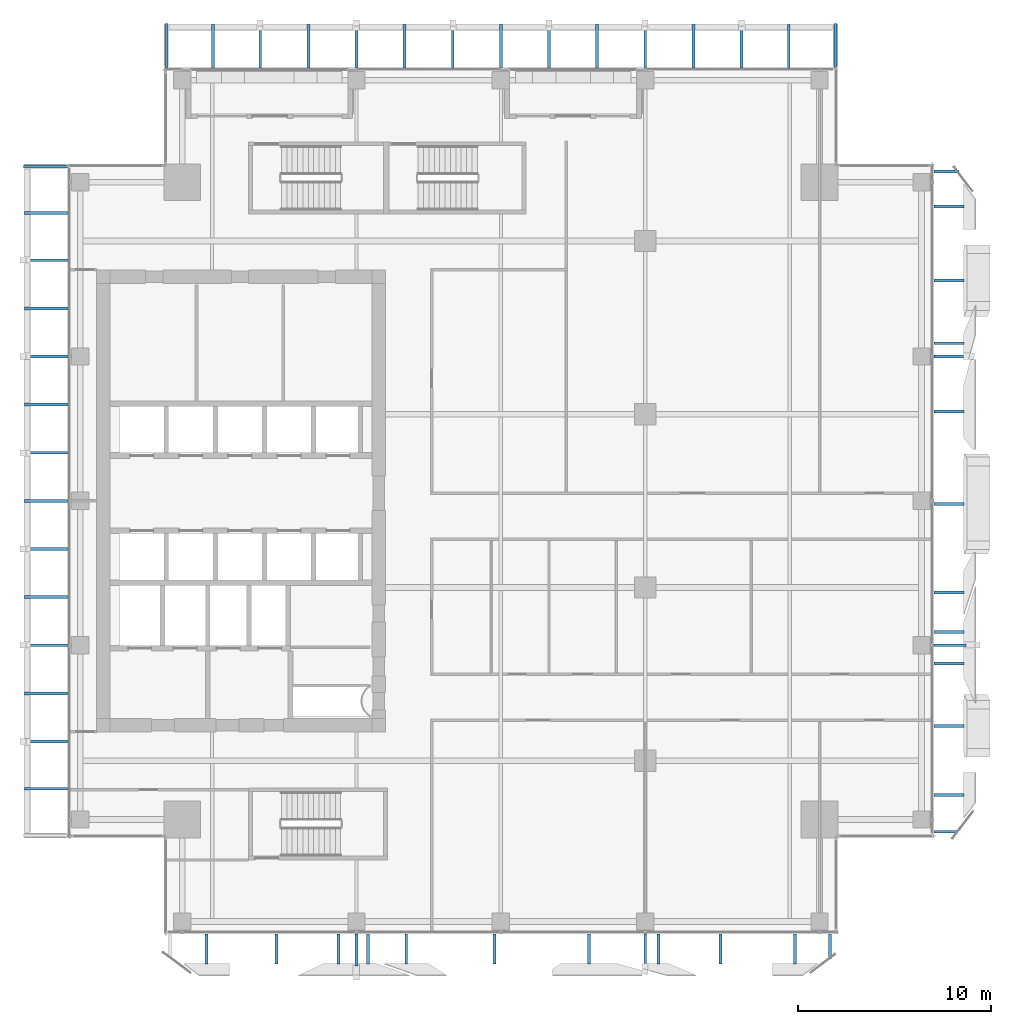
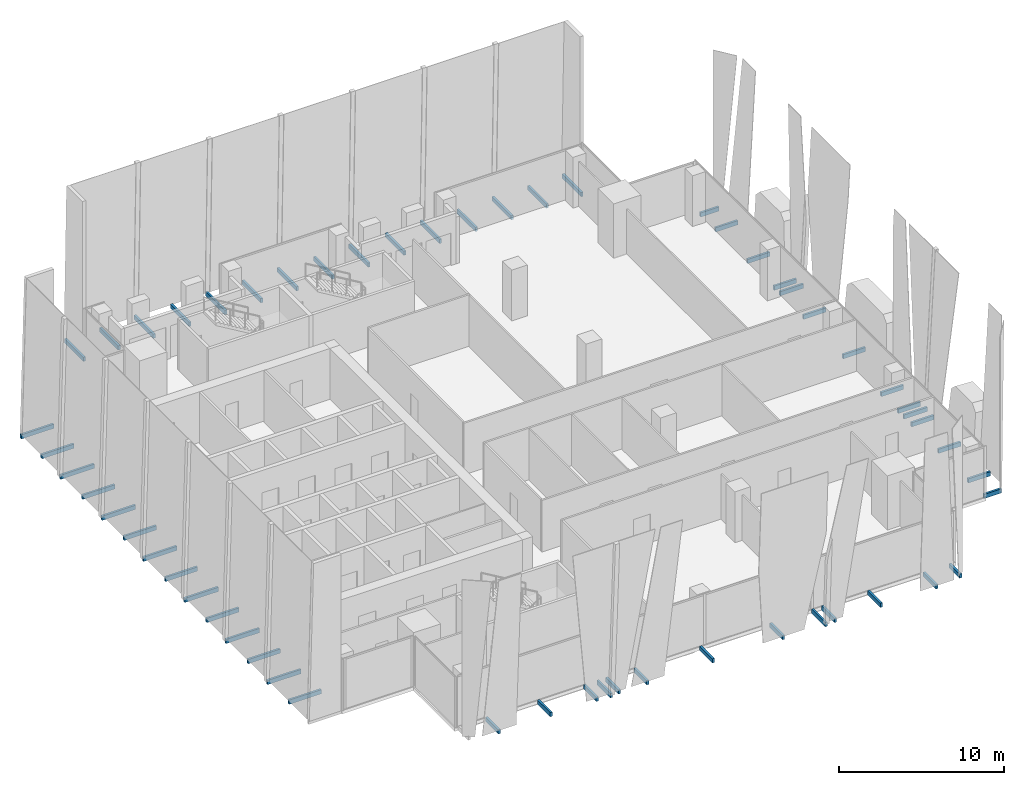
# One storey, part 29 of 33: 56 discrete accessories.
"""IFC4 building model written with IfcOpenShell, lengths in metres."""

from ifc_helpers import new_model, si_unit, direction, frame, origin, origin_2d, place, context, subcontext, project, spatial, rectangle, extrude, source, transform, mapped, material, type_object, element, save


model = new_model("IFC4")

# Units and contexts
model_context = context("Model", 3, precision=1e-05, world=origin(), true_north=direction((0.0, 1.0)))
body_context = subcontext(model_context, "Body", "Model", "MODEL_VIEW")
ifc_project = project(units=[si_unit("LENGTHUNIT", "METRE"), si_unit("AREAUNIT", "SQUARE_METRE"), si_unit("VOLUMEUNIT", "CUBIC_METRE"), si_unit("PLANEANGLEUNIT", "RADIAN"), si_unit("MASSUNIT", "GRAM", prefix="KILO")], contexts=[model_context])

# Site, building, storey
site_placement = place(None, origin())
site = spatial("IfcSite", under=ifc_project, at=site_placement, CompositionType="ELEMENT")
building_placement = place(site_placement, origin())
building = spatial("IfcBuilding", under=site, at=building_placement, Name="Khomas Fold Tower", CompositionType="ELEMENT")
storey_placement = place(building_placement, frame((0.0, 0.0, 234.199951171875)))
storey = spatial("IfcBuildingStorey", under=building, at=storey_placement, Name="L52", CompositionType="ELEMENT", Elevation=234.199951171875)

# Discrete accessories
ifc_material = material(Name="Stainless steel", Category="steel")
discrete_accessory_type = type_object("IfcDiscreteAccessoryType", Name="SK-Stainless steel stone bracket", PredefinedType="BRACKET", material=ifc_material)
shared_shape_1 = source(origin(), body_context, "Body", "SweptSolid", [
    extrude(rectangle(XDim=1.555419921875, YDim=0.14990234375, at=origin_2d()), origin(), (0.0, 0.0, 1.0), 0.31005859375),
])
for number, where, z_axis, x_axis, name in (
    (1, (15.34814453125, 3.72216796875, -0.25), (0.0, 0.0, 1.0), (0.0, -1.0, 0.0), "Stone bracket L52 SS03-1-4"),
    (2, (26.675048828125, 3.72216796875, -0.25), (0.0, 0.0, 1.0), (0.0, -1.0, 0.0), "Stone bracket L52 SS06-2-4"),
    (3, (38.40234375, 3.72216796875, -0.25), (0.0, 0.0, 1.0), (0.0, -1.0, 0.0), "Stone bracket L52 SS09-3-4"),
    (4, (50.27783203125, 15.317626953125, -0.25), (0.0, 0.0, 1.0), (1.0, 0.0, 0.0), "Stone bracket L52 ES03-1-1"),
    (5, (50.27783203125, 26.8388671875, -0.25), (0.0, 0.0, 1.0), (1.0, 0.0, 0.0), "Stone bracket L52 ES06-2-1"),
    (6, (50.27783203125, 38.436279296875, -0.25), (0.0, 0.0, 1.0), (1.0, 0.0, 0.0), "Stone bracket L52 ES09-3-1"),
    (7, (11.715576171875, 3.72216796875, -0.25), (0.0, 0.0, 1.0), (0.0, -1.0, 0.0), "Stone bracket L52 SG098-1-1"),
    (8, (22.08251953125, 3.72216796875, -0.25), (0.0, 0.0, 1.0), (0.0, -1.0, 0.0), "Stone bracket L52 SG100-3-1"),
    (9, (18.561767578125, 3.72216796875, -0.25), (0.0, 0.0, 1.0), (0.0, -1.0, 0.0), "Stone bracket L52 SG099-4-1"),
    (10, (20.10546875, 3.72216796875, -0.25), (0.0, 0.0, 1.0), (0.0, -1.0, 0.0), "Stone bracket L52 SG100-6-1"),
    (11, (35.1884765625, 3.72216796875, -0.25), (0.0, 0.0, 1.0), (0.0, -1.0, 0.0), "Stone bracket L52 SG103-8-1"),
    (12, (31.56884765625, 3.72216796875, -0.25), (0.0, 0.0, 1.0), (0.0, -1.0, 0.0), "Stone bracket L52 SG102-9-1"),
    (13, (42.284423828125, 3.72216796875, -0.25), (0.0, 0.0, 1.0), (0.0, -1.0, 0.0), "Stone bracket L52 SG104-10-1"),
    (14, (50.27783203125, 11.715576171875, -0.25), (0.0, 0.0, 1.0), (1.0, 0.0, 0.0), "Stone bracket L52 EG098-1-1"),
    (15, (50.27783203125, 22.239013671875, -0.25), (0.0, 0.0, 1.0), (1.0, 0.0, 0.0), "Stone bracket L52 EG100-3-1"),
    (16, (50.27783203125, 18.561767578125, -0.25), (0.0, 0.0, 1.0), (1.0, 0.0, 0.0), "Stone bracket L52 EG099-4-1"),
    (17, (50.27783203125, 20.18359375, -0.25), (0.0, 0.0, 1.0), (1.0, 0.0, 0.0), "Stone bracket L52 EG100-6-1"),
    (18, (50.27783203125, 35.1884765625, -0.25), (0.0, 0.0, 1.0), (1.0, 0.0, 0.0), "Stone bracket L52 EG103-8-1"),
    (19, (50.27783203125, 31.64697265625, -0.25), (0.0, 0.0, 1.0), (1.0, 0.0, 0.0), "Stone bracket L52 EG102-9-1"),
    (20, (50.27783203125, 42.284423828125, -0.25), (0.0, 0.0, 1.0), (1.0, 0.0, 0.0), "Stone bracket L52 EG104-10-1"),
):
    element("IfcDiscreteAccessory", number, at=place(storey_placement, frame(where, z_axis=z_axis, x_axis=x_axis)), inside=storey, type_object=discrete_accessory_type, Name=name, PredefinedType="BRACKET", context=body_context, shape_type="MappedRepresentation", body=[
        mapped(shared_shape_1, transform((0.0, 0.0, 0.0))),
    ])
shared_shape_2 = source(origin(), body_context, "Body", "SweptSolid", [
    extrude(rectangle(XDim=1.22216796875, YDim=0.14990234375, at=origin_2d()), origin(), (0.0, 0.0, 1.0), 0.31005859375),
])
discrete_accessory_placement = place(storey_placement, frame((50.111083984375, 9.817626953125, -0.25), z_axis=(0.0, 0.0, 1.0), x_axis=(1.0, 0.0, 0.0)))
element("IfcDiscreteAccessory", 21, at=discrete_accessory_placement, inside=storey, type_object=discrete_accessory_type, Name="Stone bracket L52 EG098-2-1", PredefinedType="BRACKET", context=body_context, shape_type="MappedRepresentation", body=[
    mapped(shared_shape_2, transform((0.0, 0.0, 0.0))),
])
shared_shape_3 = source(origin(), body_context, "Body", "SweptSolid", [
    extrude(rectangle(XDim=1.650390625, YDim=0.14990234375, at=origin_2d()), origin(), (0.0, 0.0, 1.0), 0.31005859375),
])
for number, where, z_axis, x_axis, name in (
    (22, (19.5, 3.6748046875, -0.25), (0.0, 0.0, 1.0), (0.0, -1.0, 0.0), "Stone bracket L52 SM100-5-1"),
    (23, (34.5, 3.6748046875, -0.25), (0.0, 0.0, 1.0), (0.0, -1.0, 0.0), "Stone bracket L52 SM103-7-1"),
    (24, (50.3251953125, 19.5, -0.25), (0.0, 0.0, 1.0), (1.0, 0.0, 0.0), "Stone bracket L52 EM100-5-1"),
    (25, (50.3251953125, 34.5, -0.25), (0.0, 0.0, 1.0), (1.0, 0.0, 0.0), "Stone bracket L52 EM103-7-1"),
):
    element("IfcDiscreteAccessory", number, at=place(storey_placement, frame(where, z_axis=z_axis, x_axis=x_axis)), inside=storey, type_object=discrete_accessory_type, Name=name, PredefinedType="BRACKET", context=body_context, shape_type="MappedRepresentation", body=[
        mapped(shared_shape_3, transform((0.0, 0.0, 0.0))),
    ])
shared_shape_4 = source(origin(), body_context, "Body", "SweptSolid", [
    extrude(rectangle(XDim=1.28662109375, YDim=0.14990234375, at=origin_2d()), origin(), (0.0, 0.0, 1.0), 0.31005859375),
])
for number, where, z_axis, x_axis, name in (
    (26, (44.097412109375, 3.856689453125, -0.25), (0.0, 0.0, 1.0), (0.0, -1.0, 0.0), "Stone bracket L52 SG104-11-1"),
    (27, (50.143310546875, 44.097412109375, -0.25), (0.0, 0.0, 1.0), (1.0, 0.0, 0.0), "Stone bracket L52 EG104-11-1"),
):
    element("IfcDiscreteAccessory", number, at=place(storey_placement, frame(where, z_axis=z_axis, x_axis=x_axis)), inside=storey, type_object=discrete_accessory_type, Name=name, PredefinedType="BRACKET", context=body_context, shape_type="MappedRepresentation", body=[
        mapped(shared_shape_4, transform((0.0, 0.0, 0.0))),
    ])
shared_shape_5 = source(origin(), body_context, "Body", "SweptSolid", [
    extrude(rectangle(XDim=2.249267578125, YDim=0.14990234375, at=origin_2d()), origin(), (0.0, 0.0, 1.0), 0.31005859375),
])
for number, where, z_axis, x_axis, name in (
    (28, (12.050048828125, 50.624755859375, -0.25), (0.0, 0.0, 1.0), (0.0, 1.0, 0.0), "Stone bracket L52 PLNG01"),
    (29, (17.0, 50.624755859375, -0.25), (0.0, 0.0, 1.0), (0.0, 1.0, 0.0), "Stone bracket L52 PLNG03"),
    (30, (22.0, 50.624755859375, -0.25), (0.0, 0.0, 1.0), (0.0, 1.0, 0.0), "Stone bracket L52 PLNG05"),
    (31, (27.0, 50.624755859375, -0.25), (0.0, 0.0, 1.0), (0.0, 1.0, 0.0), "Stone bracket L52 PLNG07"),
    (32, (32.0, 50.624755859375, -0.25), (0.0, 0.0, 1.0), (0.0, 1.0, 0.0), "Stone bracket L52 PLNG09"),
    (33, (37.0, 50.624755859375, -0.25), (0.0, 0.0, 1.0), (0.0, 1.0, 0.0), "Stone bracket L52 PLNG11"),
    (34, (41.949951171875, 50.624755859375, -0.25), (0.0, 0.0, 1.0), (0.0, 1.0, 0.0), "Stone bracket L52 PLNG13"),
    (35, (3.375244140625, 12.050048828125, -0.25), (0.0, 0.0, 1.0), (-1.0, 0.0, 0.0), "Stone bracket L52 PLWG01"),
    (36, (3.375244140625, 17.0, -0.25), (0.0, 0.0, 1.0), (-1.0, 0.0, 0.0), "Stone bracket L52 PLWG03"),
    (37, (3.375244140625, 22.0, -0.25), (0.0, 0.0, 1.0), (-1.0, 0.0, 0.0), "Stone bracket L52 PLWG05"),
    (38, (3.375244140625, 27.0, -0.25), (0.0, 0.0, 1.0), (-1.0, 0.0, 0.0), "Stone bracket L52 PLWG07"),
    (39, (3.375244140625, 32.0, -0.25), (0.0, 0.0, 1.0), (-1.0, 0.0, 0.0), "Stone bracket L52 PLWG09"),
    (40, (3.375244140625, 37.0, -0.25), (0.0, 0.0, 1.0), (-1.0, 0.0, 0.0), "Stone bracket L52 PLWG11"),
    (41, (3.375244140625, 41.949951171875, -0.25), (0.0, 0.0, 1.0), (-1.0, 0.0, 0.0), "Stone bracket L52 PLWG13"),
):
    element("IfcDiscreteAccessory", number, at=place(storey_placement, frame(where, z_axis=z_axis, x_axis=x_axis)), inside=storey, type_object=discrete_accessory_type, Name=name, PredefinedType="BRACKET", context=body_context, shape_type="MappedRepresentation", body=[
        mapped(shared_shape_5, transform((0.0, 0.0, 0.0))),
    ])
shared_shape_6 = source(origin(), body_context, "Body", "SweptSolid", [
    extrude(rectangle(XDim=2.34423828125, YDim=0.14990234375, at=origin_2d()), origin(), (0.0, 0.0, 1.0), 0.31005859375),
])
for number, where, z_axis, x_axis, name in (
    (42, (14.5, 50.672119140625, -0.25), (0.0, 0.0, 1.0), (0.0, 1.0, 0.0), "Stone bracket L52 PLNM02"),
    (43, (19.5, 50.672119140625, -0.25), (0.0, 0.0, 1.0), (0.0, 1.0, 0.0), "Stone bracket L52 PLNM04"),
    (44, (24.5, 50.672119140625, -0.25), (0.0, 0.0, 1.0), (0.0, 1.0, 0.0), "Stone bracket L52 PLNM06"),
    (45, (29.5, 50.672119140625, -0.25), (0.0, 0.0, 1.0), (0.0, 1.0, 0.0), "Stone bracket L52 PLNM08"),
    (46, (34.5, 50.672119140625, -0.25), (0.0, 0.0, 1.0), (0.0, 1.0, 0.0), "Stone bracket L52 PLNM10"),
    (47, (39.5, 50.672119140625, -0.25), (0.0, 0.0, 1.0), (0.0, 1.0, 0.0), "Stone bracket L52 PLNM12"),
    (48, (3.327880859375, 14.5, -0.25), (0.0, 0.0, 1.0), (-1.0, 0.0, 0.0), "Stone bracket L52 PLWM02"),
    (49, (3.327880859375, 19.5, -0.25), (0.0, 0.0, 1.0), (-1.0, 0.0, 0.0), "Stone bracket L52 PLWM04"),
    (50, (3.327880859375, 24.5, -0.25), (0.0, 0.0, 1.0), (-1.0, 0.0, 0.0), "Stone bracket L52 PLWM06"),
    (51, (3.327880859375, 29.5, -0.25), (0.0, 0.0, 1.0), (-1.0, 0.0, 0.0), "Stone bracket L52 PLWM08"),
    (52, (3.327880859375, 34.5, -0.25), (0.0, 0.0, 1.0), (-1.0, 0.0, 0.0), "Stone bracket L52 PLWM10"),
    (53, (3.327880859375, 39.5, -0.25), (0.0, 0.0, 1.0), (-1.0, 0.0, 0.0), "Stone bracket L52 PLWM12"),
):
    element("IfcDiscreteAccessory", number, at=place(storey_placement, frame(where, z_axis=z_axis, x_axis=x_axis)), inside=storey, type_object=discrete_accessory_type, Name=name, PredefinedType="BRACKET", context=body_context, shape_type="MappedRepresentation", body=[
        mapped(shared_shape_6, transform((0.0, 0.0, 0.0))),
    ])
shared_shape_7 = source(origin(), body_context, "Body", "SweptSolid", [
    extrude(rectangle(XDim=2.289306640625, YDim=0.14990234375, at=origin_2d()), origin(), (0.0, 0.0, 1.0), 0.31005859375),
])
for number, where, z_axis, x_axis, name in (
    (54, (9.625, 50.644775390625, -0.25), (0.0, 0.0, 1.0), (0.0, 1.0, 0.0), "Stone bracket L52 PLNR1"),
    (55, (44.375, 50.644775390625, -0.25), (0.0, 0.0, 1.0), (0.0, 1.0, 0.0), "Stone bracket L52 PLNR2"),
    (56, (3.355224609375, 44.375, -0.25), (0.0, 0.0, 1.0), (-1.0, 0.0, 0.0), "Stone bracket L52 PLWR2"),
):
    element("IfcDiscreteAccessory", number, at=place(storey_placement, frame(where, z_axis=z_axis, x_axis=x_axis)), inside=storey, type_object=discrete_accessory_type, Name=name, PredefinedType="BRACKET", context=body_context, shape_type="MappedRepresentation", body=[
        mapped(shared_shape_7, transform((0.0, 0.0, 0.0))),
    ])

save(model, "model.ifc")
